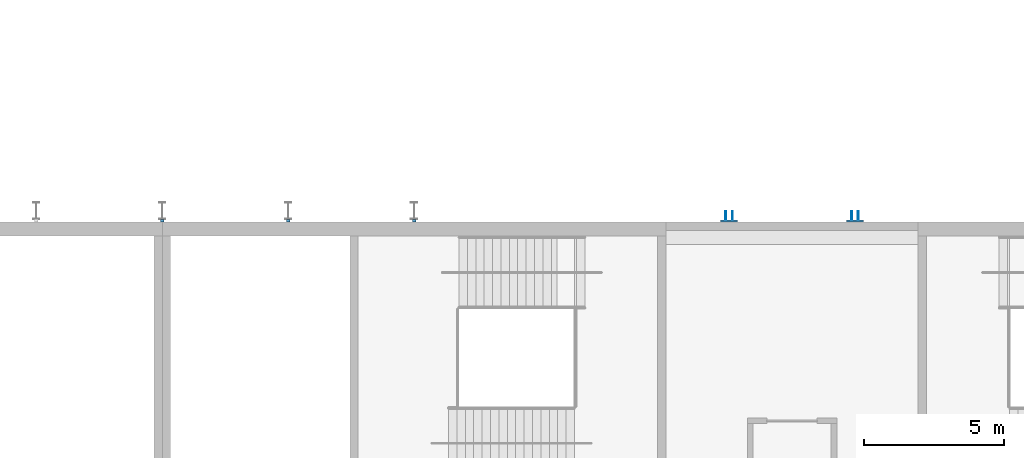
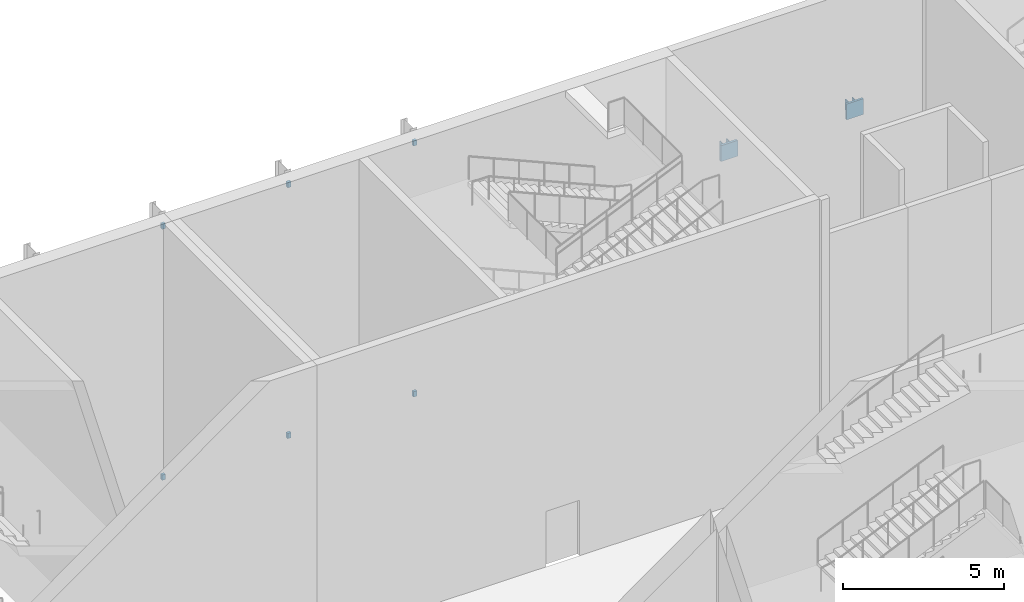
# One storey, part 130 of 182: 12 discrete accessories.
"""IFC4 building model written with IfcOpenShell, lengths in metres."""

from ifc_helpers import new_model, si_unit, direction, frame, origin, origin_2d, place, context, subcontext, project, spatial, rectangle, extrude, material, type_object, element, save


model = new_model("IFC4")

# Units and contexts
model_context = context("Model", 3, precision=1e-05, world=origin(), true_north=direction((0.0, 1.0)))
body_context = subcontext(model_context, "Body", "Model", "MODEL_VIEW")
ifc_project = project(units=[si_unit("LENGTHUNIT", "METRE"), si_unit("AREAUNIT", "SQUARE_METRE"), si_unit("VOLUMEUNIT", "CUBIC_METRE"), si_unit("PLANEANGLEUNIT", "RADIAN"), si_unit("MASSUNIT", "GRAM", prefix="KILO")], contexts=[model_context])

# Site, building, storey
site_placement = place(None, origin())
site = spatial("IfcSite", under=ifc_project, at=site_placement, CompositionType="ELEMENT")
building_placement = place(site_placement, origin())
building = spatial("IfcBuilding", under=site, at=building_placement, Name="Silverbay Arena", CompositionType="ELEMENT")
storey_placement = place(building_placement, frame((0.0, 0.0, 11.5)))
storey = spatial("IfcBuildingStorey", under=building, at=storey_placement, Name="L02", CompositionType="ELEMENT", Elevation=11.5)

# Discrete accessories
ifc_material = material(Name="Steel S355", Category="steel")
discrete_accessory_type = type_object("IfcDiscreteAccessoryType", Name="Steel bracket plate", PredefinedType="BRACKET", material=ifc_material)
discrete_accessory_1_placement = place(storey_placement, frame((182.25, 144.5400390625, 5.46337890625), z_axis=(0.0, 0.0, 1.0), x_axis=(1.0, 0.0, 0.0)))
element("IfcDiscreteAccessory", 1, at=discrete_accessory_1_placement, inside=storey, type_object=discrete_accessory_type, Name="Marquee tie anchor plate", PredefinedType="BRACKET", context=body_context, shape_type="SweptSolid", body=[
    extrude(rectangle(XDim=0.60009765625, YDim=0.080078125, at=origin_2d()), origin(), (0.0, 0.0, 1.0), 0.60009765625),
])
for number, where, z_axis, x_axis, name in (
    (2, (182.1298828125, 144.72998046875, 5.5634765625), (0.0, 0.0, 1.0), (1.0, 0.0, 0.0), "Marquee tie gusset plate"),
    (3, (182.3701171875, 144.72998046875, 5.5634765625), (0.0, 0.0, 1.0), (1.0, 0.0, 0.0), "Marquee tie gusset plate"),
):
    element("IfcDiscreteAccessory", number, at=place(storey_placement, frame(where, z_axis=z_axis, x_axis=x_axis)), inside=storey, type_object=discrete_accessory_type, Name=name, PredefinedType="BRACKET", context=body_context, shape_type="SweptSolid", body=[
        extrude(rectangle(XDim=0.030029296875, YDim=0.300048828125, at=origin_2d()), origin(), (0.0, 0.0, 1.0), 0.39990234375),
    ])
discrete_accessory_2_placement = place(storey_placement, frame((186.75, 144.5400390625, 5.46337890625), z_axis=(0.0, 0.0, 1.0), x_axis=(1.0, 0.0, 0.0)))
element("IfcDiscreteAccessory", 4, at=discrete_accessory_2_placement, inside=storey, type_object=discrete_accessory_type, Name="Marquee tie anchor plate", PredefinedType="BRACKET", context=body_context, shape_type="SweptSolid", body=[
    extrude(rectangle(XDim=0.60009765625, YDim=0.080078125, at=origin_2d()), origin(), (0.0, 0.0, 1.0), 0.60009765625),
])
for number, where, z_axis, x_axis, name in (
    (5, (186.6298828125, 144.72998046875, 5.5634765625), (0.0, 0.0, 1.0), (1.0, 0.0, 0.0), "Marquee tie gusset plate"),
    (6, (186.8701171875, 144.72998046875, 5.5634765625), (0.0, 0.0, 1.0), (1.0, 0.0, 0.0), "Marquee tie gusset plate"),
):
    element("IfcDiscreteAccessory", number, at=place(storey_placement, frame(where, z_axis=z_axis, x_axis=x_axis)), inside=storey, type_object=discrete_accessory_type, Name=name, PredefinedType="BRACKET", context=body_context, shape_type="SweptSolid", body=[
        extrude(rectangle(XDim=0.030029296875, YDim=0.300048828125, at=origin_2d()), origin(), (0.0, 0.0, 1.0), 0.39990234375),
    ])
for number, where, z_axis, x_axis, name in (
    (7, (162.0, 144.550048828125, 0.39990234375), (0.0, 0.0, 1.0), (1.0, 0.0, 0.0), "Fin bracket"),
    (8, (162.0, 144.550048828125, 9.89990234375), (0.0, 0.0, 1.0), (1.0, 0.0, 0.0), "Fin bracket"),
    (9, (166.5, 144.550048828125, 0.39990234375), (0.0, 0.0, 1.0), (1.0, 0.0, 0.0), "Fin bracket"),
    (10, (166.5, 144.550048828125, 9.89990234375), (0.0, 0.0, 1.0), (1.0, 0.0, 0.0), "Fin bracket"),
    (11, (171.0, 144.550048828125, 0.39990234375), (0.0, 0.0, 1.0), (1.0, 0.0, 0.0), "Fin bracket"),
    (12, (171.0, 144.550048828125, 9.89990234375), (0.0, 0.0, 1.0), (1.0, 0.0, 0.0), "Fin bracket"),
):
    element("IfcDiscreteAccessory", number, at=place(storey_placement, frame(where, z_axis=z_axis, x_axis=x_axis)), inside=storey, type_object=discrete_accessory_type, Name=name, PredefinedType="BRACKET", context=body_context, shape_type="SweptSolid", body=[
        extrude(rectangle(XDim=0.1201171875, YDim=0.10009765625, at=origin_2d()), origin(), (0.0, 0.0, 1.0), 0.199951171875),
    ])

save(model, "model.ifc")
